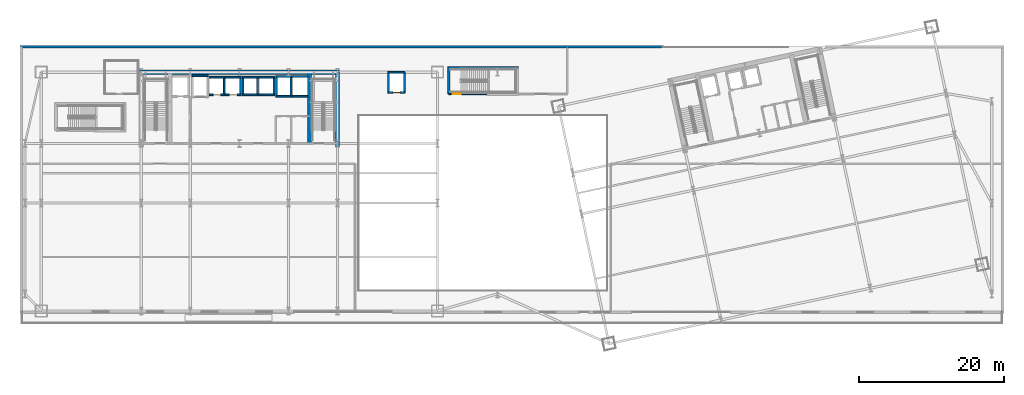
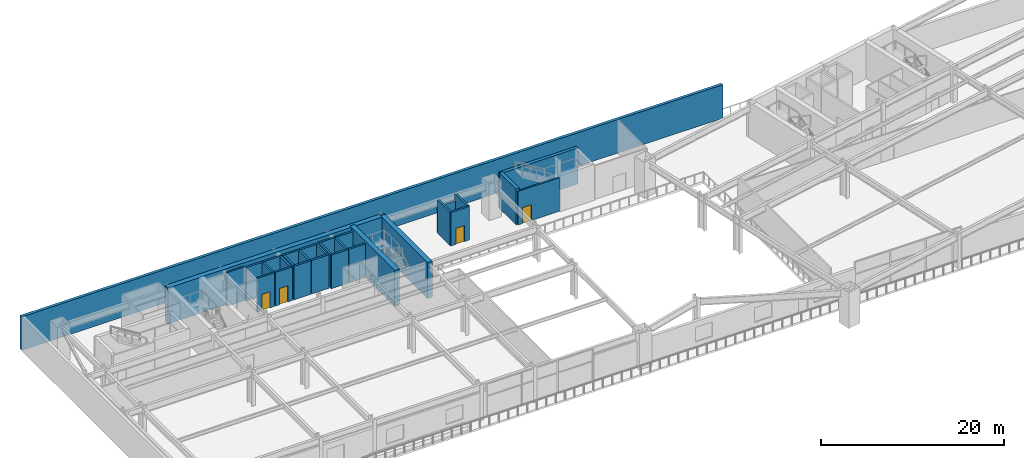
# One storey, part 13 of 28: 31 walls, 4 doors, 4 openings.
"""IFC4 building model written with IfcOpenShell, lengths in metres."""

from ifc_helpers import new_model, si_unit, direction, frame, frame_2d, origin, place, context, subcontext, project, spatial, rectangle, extrude, material, layer, layer_set, type_object, element, fill, save


model = new_model("IFC4")

# Units and contexts
model_context = context("Model", 3, precision=1e-05, world=origin(), true_north=direction((0.0, 1.0)))
body_context = subcontext(model_context, "Body", "Model", "MODEL_VIEW")
ifc_project = project(units=[si_unit("LENGTHUNIT", "METRE"), si_unit("AREAUNIT", "SQUARE_METRE"), si_unit("VOLUMEUNIT", "CUBIC_METRE"), si_unit("PLANEANGLEUNIT", "RADIAN"), si_unit("MASSUNIT", "GRAM", prefix="KILO")], contexts=[model_context])

# Site, building, storey
site_placement = place(None, origin())
site = spatial("IfcSite", under=ifc_project, at=site_placement, CompositionType="ELEMENT")
building_placement = place(site_placement, origin())
building = spatial("IfcBuilding", under=site, at=building_placement, Name="Haevon Station Towers", CompositionType="ELEMENT")
storey_placement = place(building_placement, frame((0.0, 0.0, 10.800048828125)))
storey = spatial("IfcBuildingStorey", under=building, at=storey_placement, Name="L02", CompositionType="ELEMENT", Elevation=10.800048828125)

# Wall, opening, door
ifc_material_1 = material(Name="Gypsum board on steel stud", Category="steel")
ifc_layer_1 = layer(ifc_material_1, 0.199951171875)
ifc_layer_set_1 = layer_set([ifc_layer_1], Name="Gypsum board on steel stud")
wall_type_1 = type_object("IfcWallType", Name="WL-COR200", PredefinedType="PARTITIONING", material=ifc_layer_set_1)
wall_1_placement = place(storey_placement, frame((66.300048828125, 45.0, 0.0), z_axis=(0.0, 0.0, 1.0), x_axis=(1.0, 0.0, 0.0)))
wall_1 = element("IfcWall", 1, at=wall_1_placement, inside=storey, type_object=wall_type_1, Name="WL-ST-ST6-L02-S", PredefinedType="PARTITIONING", context=body_context, shape_type="SweptSolid", body=[
    extrude(rectangle(XDim=5.199951171875, YDim=0.199951171875, at=frame_2d((2.60009765625, 0.0))), origin(), (0.0, 0.0, 1.0), 4.47998046875),
])
opening_1_placement = place(wall_1_placement, frame((0.550048828125, 0.0, 0.0)))
opening_1 = element("IfcOpeningElement", 2, at=opening_1_placement, cuts=wall_1, Name="Opening DR-ST-ST6-L02", PredefinedType="OPENING", context=body_context, shape_type="SweptSolid", body=[
    extrude(rectangle(XDim=1.1201171875, YDim=2.10009765625, at=frame_2d((0.56005859375, 1.050048828125))), frame((0.0, 0.10986328125, 0.0), z_axis=(0.0, -1.0, 0.0), x_axis=(1.0, 0.0, 0.0)), (0.0, 0.0, 1.0), 0.219970703125),
])
ifc_material_2 = material(Name="Engineered oak timber", Category="wood")
door_type_1 = type_object("IfcDoorType", Name="DR-ST-1120", OperationType="NOTDEFINED", PredefinedType="DOOR", material=ifc_material_2)
door_1_placement = place(opening_1_placement, origin())
door_1 = element("IfcDoor", 3, at=door_1_placement, inside=storey, type_object=door_type_1, Name="L02 Station Escape Stair ST6 Fire Door", OperationType="SINGLE_SWING_RIGHT", OverallHeight=2.10009765625, OverallWidth=1.1201171875, PredefinedType="DOOR", context=body_context, shape_type="SweptSolid", body=[
    extrude(rectangle(XDim=1.1201171875, YDim=2.10009765625, at=frame_2d((0.56005859375, 1.050048828125))), frame((0.0, 0.02490234375, 0.0), z_axis=(0.0, -1.0, 0.0), x_axis=(1.0, 0.0, 0.0)), (0.0, 0.0, 1.0), 0.050048828125),
])
fill(opening_1, door_1)

# Walls
ifc_material_3 = material(Name="Concrete C60/75", Category="concrete")
ifc_layer_2 = layer(ifc_material_3, 0.39990234375)
ifc_layer_set_2 = layer_set([ifc_layer_2], Name="Concrete C60/75")
wall_type_2 = type_object("IfcWallType", Name="WL-CR400", PredefinedType="SHEAR", material=ifc_layer_set_2)
wall_2_placement = place(storey_placement, frame((66.10009765625, 48.60009765625, 0.0), z_axis=(0.0, 0.0, 1.0), x_axis=(1.0, 0.0, 0.0)))
element("IfcWall", 4, at=wall_2_placement, inside=storey, type_object=wall_type_2, Name="WL-ST6CR-L02-N", PredefinedType="SHEAR", context=body_context, shape_type="SweptSolid", body=[
    extrude(rectangle(XDim=9.7998046875, YDim=0.39990234375, at=frame_2d((4.89990234375, 0.0))), origin(), (0.0, 0.0, 1.0), 4.800048828125),
])
wall_3_placement = place(storey_placement, frame((66.300048828125, 45.0, 0.0), z_axis=(0.0, 0.0, 1.0), x_axis=(0.0, 1.0, 0.0)))
element("IfcWall", 5, at=wall_3_placement, inside=storey, type_object=wall_type_2, Name="WL-ST6CR-L02-W", PredefinedType="SHEAR", context=body_context, shape_type="SweptSolid", body=[
    extrude(rectangle(XDim=3.60009765625, YDim=0.39990234375, at=frame_2d((1.800048828125, 0.0))), origin(), (0.0, 0.0, 1.0), 4.800048828125),
])
ifc_layer_3 = layer(ifc_material_3, 0.60009765625)
ifc_layer_set_3 = layer_set([ifc_layer_3], Name="Concrete C60/75")
wall_type_3 = type_object("IfcWallType", Name="WL-CR600", PredefinedType="SHEAR", material=ifc_layer_set_3)
wall_4_placement = place(storey_placement, frame((23.699951171875, 48.0, 0.0), z_axis=(0.0, 0.0, 1.0), x_axis=(1.0, 0.0, 0.0)))
element("IfcWall", 6, at=wall_4_placement, inside=storey, type_object=wall_type_3, Name="WL-T1CR-L02-N", PredefinedType="SHEAR", context=body_context, shape_type="SweptSolid", body=[
    extrude(rectangle(XDim=27.60009765625, YDim=0.60009765625, at=frame_2d((13.800048828125, 0.0))), origin(), (0.0, 0.0, 1.0), 4.800048828125),
])
wall_5_placement = place(storey_placement, frame((51.0, 37.679931640625, 0.0), z_axis=(0.0, 0.0, 1.0), x_axis=(0.0, 1.0, 0.0)))
element("IfcWall", 7, at=wall_5_placement, inside=storey, type_object=wall_type_3, Name="WL-T1CR-L02-E", PredefinedType="SHEAR", context=body_context, shape_type="SweptSolid", body=[
    extrude(rectangle(XDim=10.320068359375, YDim=0.60009765625, at=frame_2d((5.16015625, 0.0))), origin(), (0.0, 0.0, 1.0), 4.800048828125),
])
wall_6_placement = place(storey_placement, frame((47.14990234375, 38.199951171875, 0.0), z_axis=(0.0, 0.0, 1.0), x_axis=(0.0, 1.0, 0.0)))
element("IfcWall", 8, at=wall_6_placement, inside=storey, type_object=wall_type_3, Name="WL-T1CR-L02-M2", PredefinedType="SHEAR", context=body_context, shape_type="SweptSolid", body=[
    extrude(rectangle(XDim=9.800048828125, YDim=0.60009765625, at=frame_2d((4.89990234375, 0.0))), origin(), (0.0, 0.0, 1.0), 4.800048828125),
])
ifc_material_4 = material(Name="Precast concrete C45/55", Category="concrete")
ifc_layer_4 = layer(ifc_material_4, 0.360107421875)
ifc_layer_set_4 = layer_set([ifc_layer_4], Name="Precast concrete C45/55")
wall_type_4 = type_object("IfcWallType", Name="WL-EXT-POD360", PredefinedType="SOLIDWALL", material=ifc_layer_set_4)
wall_7_placement = place(storey_placement, frame((7.320068359375, 51.5, 0.0), z_axis=(0.0, 0.0, 1.0), x_axis=(1.0, 0.0, 0.0)))
element("IfcWall", 9, at=wall_7_placement, inside=storey, type_object=wall_type_4, Name="WL-POD-L02-N1", PredefinedType="SOLIDWALL", context=body_context, shape_type="SweptSolid", body=[
    extrude(rectangle(XDim=88.530029296875, YDim=0.360107421875, at=frame_2d((44.26513671875, 0.0))), origin(), (0.0, 0.0, 1.0), 4.47998046875),
])
ifc_material_5 = material(Name="Concrete C40/50", Category="concrete")
ifc_layer_5 = layer(ifc_material_5, 0.239990234375)
ifc_layer_set_5 = layer_set([ifc_layer_5], Name="Concrete C40/50")
wall_type_5 = type_object("IfcWallType", Name="WL-SHF240", PredefinedType="PARTITIONING", material=ifc_layer_set_5)
wall_8_placement = place(storey_placement, frame((30.969970703125, 47.5, 0.0), z_axis=(0.0, 0.0, 1.0), x_axis=(1.0, 0.0, 0.0)))
element("IfcWall", 10, at=wall_8_placement, inside=storey, type_object=wall_type_5, Name="WL-SHF-SL1-L02-N", PredefinedType="PARTITIONING", context=body_context, shape_type="SweptSolid", body=[
    extrude(rectangle(XDim=2.260009765625, YDim=0.239990234375, at=frame_2d((1.1298828125, 0.0))), origin(), (0.0, 0.0, 1.0), 4.47998046875),
])

# Wall, opening, door
wall_9_placement = place(storey_placement, frame((33.320068359375, 44.89990234375, 0.0), z_axis=(0.0, 0.0, 1.0), x_axis=(1.0, 0.0, 0.0)))
wall_9 = element("IfcWall", 11, at=wall_9_placement, inside=storey, type_object=wall_type_5, Name="WL-SHF-PL1-L02", PredefinedType="PARTITIONING", context=body_context, shape_type="SweptSolid", body=[
    extrude(rectangle(XDim=2.159912109375, YDim=0.239990234375, at=frame_2d((1.080078125, 0.0))), origin(), (0.0, 0.0, 1.0), 4.47998046875),
])
opening_2_placement = place(wall_9_placement, frame((0.554931640625, 0.0, 0.0)))
opening_2 = element("IfcOpeningElement", 12, at=opening_2_placement, cuts=wall_9, Name="Opening LD-PL1-L02", PredefinedType="OPENING", context=body_context, shape_type="SweptSolid", body=[
    extrude(rectangle(XDim=1.050048828125, YDim=2.14990234375, at=frame_2d((0.52490234375, 1.074951171875))), frame((0.0, 0.1298828125, 0.0), z_axis=(0.0, -1.0, 0.0), x_axis=(1.0, 0.0, 0.0)), (0.0, 0.0, 1.0), 0.260009765625),
])
ifc_material_6 = material(Name="Stainless steel and rated core", Category="steel")
door_type_2 = type_object("IfcDoorType", Name="LD-PL1050", OperationType="SLIDING_TO_LEFT", PredefinedType="DOOR", material=ifc_material_6)
door_2_placement = place(opening_2_placement, origin())
door_2 = element("IfcDoor", 13, at=door_2_placement, inside=storey, type_object=door_type_2, Name="L02 Lift PL1 Sliding Landing Door", OperationType="SLIDING_TO_LEFT", OverallHeight=2.14990234375, OverallWidth=1.050048828125, PredefinedType="DOOR", context=body_context, shape_type="SweptSolid", body=[
    extrude(rectangle(XDim=1.050048828125, YDim=2.14990234375, at=frame_2d((0.52490234375, 1.074951171875))), frame((0.0, 0.02490234375, 0.0), z_axis=(0.0, -1.0, 0.0), x_axis=(1.0, 0.0, 0.0)), (0.0, 0.0, 1.0), 0.050048828125),
])
fill(opening_2, door_2)

# Walls
wall_10_placement = place(storey_placement, frame((33.320068359375, 47.300048828125, 0.0), z_axis=(0.0, 0.0, 1.0), x_axis=(1.0, 0.0, 0.0)))
element("IfcWall", 14, at=wall_10_placement, inside=storey, type_object=wall_type_5, Name="WL-SHF-PL1-L02-N", PredefinedType="PARTITIONING", context=body_context, shape_type="SweptSolid", body=[
    extrude(rectangle(XDim=2.159912109375, YDim=0.239990234375, at=frame_2d((1.080078125, 0.0))), origin(), (0.0, 0.0, 1.0), 4.47998046875),
])
wall_11_placement = place(storey_placement, frame((35.39990234375, 44.89990234375, 0.0), z_axis=(0.0, 0.0, 1.0), x_axis=(0.0, 1.0, 0.0)))
element("IfcWall", 15, at=wall_11_placement, inside=storey, type_object=wall_type_5, Name="WL-SHF-PL1-L02-E", PredefinedType="PARTITIONING", context=body_context, shape_type="SweptSolid", body=[
    extrude(rectangle(XDim=2.400146484375, YDim=0.239990234375, at=frame_2d((1.2001953125, 0.0))), origin(), (0.0, 0.0, 1.0), 4.47998046875),
])

# Wall, opening, door
wall_12_placement = place(storey_placement, frame((35.570068359375, 44.89990234375, 0.0), z_axis=(0.0, 0.0, 1.0), x_axis=(1.0, 0.0, 0.0)))
wall_12 = element("IfcWall", 16, at=wall_12_placement, inside=storey, type_object=wall_type_5, Name="WL-SHF-PL2-L02", PredefinedType="PARTITIONING", context=body_context, shape_type="SweptSolid", body=[
    extrude(rectangle(XDim=2.159912109375, YDim=0.239990234375, at=frame_2d((1.080078125, 0.0))), origin(), (0.0, 0.0, 1.0), 4.47998046875),
])
opening_3_placement = place(wall_12_placement, frame((0.554931640625, 0.0, 0.0)))
opening_3 = element("IfcOpeningElement", 17, at=opening_3_placement, cuts=wall_12, Name="Opening LD-PL2-L02", PredefinedType="OPENING", context=body_context, shape_type="SweptSolid", body=[
    extrude(rectangle(XDim=1.050048828125, YDim=2.14990234375, at=frame_2d((0.52490234375, 1.074951171875))), frame((0.0, 0.1298828125, 0.0), z_axis=(0.0, -1.0, 0.0), x_axis=(1.0, 0.0, 0.0)), (0.0, 0.0, 1.0), 0.260009765625),
])
door_3_placement = place(opening_3_placement, origin())
door_3 = element("IfcDoor", 18, at=door_3_placement, inside=storey, type_object=door_type_2, Name="L02 Lift PL2 Sliding Landing Door", OperationType="SLIDING_TO_LEFT", OverallHeight=2.14990234375, OverallWidth=1.050048828125, PredefinedType="DOOR", context=body_context, shape_type="SweptSolid", body=[
    extrude(rectangle(XDim=1.050048828125, YDim=2.14990234375, at=frame_2d((0.52490234375, 1.074951171875))), frame((0.0, 0.02490234375, 0.0), z_axis=(0.0, -1.0, 0.0), x_axis=(1.0, 0.0, 0.0)), (0.0, 0.0, 1.0), 0.050048828125),
])
fill(opening_3, door_3)

# Walls
wall_13_placement = place(storey_placement, frame((35.570068359375, 47.300048828125, 0.0), z_axis=(0.0, 0.0, 1.0), x_axis=(1.0, 0.0, 0.0)))
element("IfcWall", 19, at=wall_13_placement, inside=storey, type_object=wall_type_5, Name="WL-SHF-PL2-L02-N", PredefinedType="PARTITIONING", context=body_context, shape_type="SweptSolid", body=[
    extrude(rectangle(XDim=2.159912109375, YDim=0.239990234375, at=frame_2d((1.080078125, 0.0))), origin(), (0.0, 0.0, 1.0), 4.47998046875),
])
wall_14_placement = place(storey_placement, frame((37.64990234375, 44.89990234375, 0.0), z_axis=(0.0, 0.0, 1.0), x_axis=(0.0, 1.0, 0.0)))
element("IfcWall", 20, at=wall_14_placement, inside=storey, type_object=wall_type_5, Name="WL-SHF-PL2-L02-E", PredefinedType="PARTITIONING", context=body_context, shape_type="SweptSolid", body=[
    extrude(rectangle(XDim=2.400146484375, YDim=0.239990234375, at=frame_2d((1.2001953125, 0.0))), origin(), (0.0, 0.0, 1.0), 4.47998046875),
])
for number, where, z_axis, x_axis, name in (
    (21, (37.919921875, 44.89990234375, 0.0), (0.0, 0.0, 1.0), (1.0, 0.0, 0.0), "WL-SHF-PL3-L02"),
    (22, (37.919921875, 47.300048828125, 0.0), (0.0, 0.0, 1.0), (1.0, 0.0, 0.0), "WL-SHF-PL3-L02-N"),
):
    element("IfcWall", number, at=place(storey_placement, frame(where, z_axis=z_axis, x_axis=x_axis)), inside=storey, type_object=wall_type_5, Name=name, PredefinedType="PARTITIONING", context=body_context, shape_type="SweptSolid", body=[
        extrude(rectangle(XDim=2.16015625, YDim=0.239990234375, at=frame_2d((1.080078125, 0.0))), origin(), (0.0, 0.0, 1.0), 4.47998046875),
    ])
for number, where, z_axis, x_axis, name in (
    (23, (38.0, 44.89990234375, 0.0), (0.0, 0.0, 1.0), (0.0, 1.0, 0.0), "WL-SHF-PL3-L02-W"),
    (24, (40.0, 44.89990234375, 0.0), (0.0, 0.0, 1.0), (0.0, 1.0, 0.0), "WL-SHF-PL3-L02-E"),
):
    element("IfcWall", number, at=place(storey_placement, frame(where, z_axis=z_axis, x_axis=x_axis)), inside=storey, type_object=wall_type_5, Name=name, PredefinedType="PARTITIONING", context=body_context, shape_type="SweptSolid", body=[
        extrude(rectangle(XDim=2.400146484375, YDim=0.239990234375, at=frame_2d((1.2001953125, 0.0))), origin(), (0.0, 0.0, 1.0), 4.47998046875),
    ])
for number, where, z_axis, x_axis, name in (
    (25, (40.169921875, 44.89990234375, 0.0), (0.0, 0.0, 1.0), (1.0, 0.0, 0.0), "WL-SHF-PL4-L02"),
    (26, (40.169921875, 47.300048828125, 0.0), (0.0, 0.0, 1.0), (1.0, 0.0, 0.0), "WL-SHF-PL4-L02-N"),
):
    element("IfcWall", number, at=place(storey_placement, frame(where, z_axis=z_axis, x_axis=x_axis)), inside=storey, type_object=wall_type_5, Name=name, PredefinedType="PARTITIONING", context=body_context, shape_type="SweptSolid", body=[
        extrude(rectangle(XDim=2.16015625, YDim=0.239990234375, at=frame_2d((1.080078125, 0.0))), origin(), (0.0, 0.0, 1.0), 4.47998046875),
    ])
wall_15_placement = place(storey_placement, frame((42.25, 44.89990234375, 0.0), z_axis=(0.0, 0.0, 1.0), x_axis=(0.0, 1.0, 0.0)))
element("IfcWall", 27, at=wall_15_placement, inside=storey, type_object=wall_type_5, Name="WL-SHF-PL4-L02-E", PredefinedType="PARTITIONING", context=body_context, shape_type="SweptSolid", body=[
    extrude(rectangle(XDim=2.400146484375, YDim=0.239990234375, at=frame_2d((1.2001953125, 0.0))), origin(), (0.0, 0.0, 1.0), 4.47998046875),
])
for number, where, z_axis, x_axis, name in (
    (28, (42.52001953125, 44.699951171875, 0.0), (0.0, 0.0, 1.0), (1.0, 0.0, 0.0), "WL-SHF-PL5-L02"),
    (29, (42.52001953125, 47.39990234375, 0.0), (0.0, 0.0, 1.0), (1.0, 0.0, 0.0), "WL-SHF-PL5-L02-N"),
):
    element("IfcWall", number, at=place(storey_placement, frame(where, z_axis=z_axis, x_axis=x_axis)), inside=storey, type_object=wall_type_5, Name=name, PredefinedType="PARTITIONING", context=body_context, shape_type="SweptSolid", body=[
        extrude(rectangle(XDim=2.159912109375, YDim=0.239990234375, at=frame_2d((1.080078125, 0.0))), origin(), (0.0, 0.0, 1.0), 4.47998046875),
    ])
for number, where, z_axis, x_axis, name in (
    (30, (42.60009765625, 44.699951171875, 0.0), (0.0, 0.0, 1.0), (0.0, 1.0, 0.0), "WL-SHF-PL5-L02-W"),
    (31, (44.60009765625, 44.699951171875, 0.0), (0.0, 0.0, 1.0), (0.0, 1.0, 0.0), "WL-SHF-PL5-L02-E"),
):
    element("IfcWall", number, at=place(storey_placement, frame(where, z_axis=z_axis, x_axis=x_axis)), inside=storey, type_object=wall_type_5, Name=name, PredefinedType="PARTITIONING", context=body_context, shape_type="SweptSolid", body=[
        extrude(rectangle(XDim=2.699951171875, YDim=0.239990234375, at=frame_2d((1.35009765625, 0.0))), origin(), (0.0, 0.0, 1.0), 4.47998046875),
    ])
for number, where, z_axis, x_axis, name in (
    (32, (44.77001953125, 44.699951171875, 0.0), (0.0, 0.0, 1.0), (1.0, 0.0, 0.0), "WL-SHF-PL6-L02"),
    (33, (44.77001953125, 47.39990234375, 0.0), (0.0, 0.0, 1.0), (1.0, 0.0, 0.0), "WL-SHF-PL6-L02-N"),
):
    element("IfcWall", number, at=place(storey_placement, frame(where, z_axis=z_axis, x_axis=x_axis)), inside=storey, type_object=wall_type_5, Name=name, PredefinedType="PARTITIONING", context=body_context, shape_type="SweptSolid", body=[
        extrude(rectangle(XDim=2.159912109375, YDim=0.239990234375, at=frame_2d((1.080078125, 0.0))), origin(), (0.0, 0.0, 1.0), 4.47998046875),
    ])

# Wall, opening, door
wall_16_placement = place(storey_placement, frame((57.919921875, 45.199951171875, 0.0), z_axis=(0.0, 0.0, 1.0), x_axis=(1.0, 0.0, 0.0)))
wall_16 = element("IfcWall", 34, at=wall_16_placement, inside=storey, type_object=wall_type_5, Name="WL-SHF-PL11-L02", PredefinedType="PARTITIONING", context=body_context, shape_type="SweptSolid", body=[
    extrude(rectangle(XDim=2.360107421875, YDim=0.239990234375, at=frame_2d((1.18017578125, 0.0))), origin(), (0.0, 0.0, 1.0), 4.47998046875),
])
opening_4_placement = place(wall_16_placement, frame((0.655029296875, 0.0, 0.0)))
opening_4 = element("IfcOpeningElement", 35, at=opening_4_placement, cuts=wall_16, Name="Opening LD-PL11-L02", PredefinedType="OPENING", context=body_context, shape_type="SweptSolid", body=[
    extrude(rectangle(XDim=1.050048828125, YDim=2.14990234375, at=frame_2d((0.52490234375, 1.074951171875))), frame((0.0, 0.1298828125, 0.0), z_axis=(0.0, -1.0, 0.0), x_axis=(1.0, 0.0, 0.0)), (0.0, 0.0, 1.0), 0.260009765625),
])
door_4_placement = place(opening_4_placement, origin())
door_4 = element("IfcDoor", 36, at=door_4_placement, inside=storey, type_object=door_type_2, Name="L02 Lift PL11 Sliding Landing Door", OperationType="SLIDING_TO_LEFT", OverallHeight=2.14990234375, OverallWidth=1.050048828125, PredefinedType="DOOR", context=body_context, shape_type="SweptSolid", body=[
    extrude(rectangle(XDim=1.050048828125, YDim=2.14990234375, at=frame_2d((0.52490234375, 1.074951171875))), frame((0.0, 0.02490234375, 0.0), z_axis=(0.0, -1.0, 0.0), x_axis=(1.0, 0.0, 0.0)), (0.0, 0.0, 1.0), 0.050048828125),
])
fill(opening_4, door_4)

# Walls
wall_17_placement = place(storey_placement, frame((57.919921875, 48.0, 0.0), z_axis=(0.0, 0.0, 1.0), x_axis=(1.0, 0.0, 0.0)))
element("IfcWall", 37, at=wall_17_placement, inside=storey, type_object=wall_type_5, Name="WL-SHF-PL11-L02-N", PredefinedType="PARTITIONING", context=body_context, shape_type="SweptSolid", body=[
    extrude(rectangle(XDim=2.360107421875, YDim=0.239990234375, at=frame_2d((1.18017578125, 0.0))), origin(), (0.0, 0.0, 1.0), 3.579833984375),
])
for number, where, z_axis, x_axis, name in (
    (38, (58.0, 45.199951171875, 0.0), (0.0, 0.0, 1.0), (0.0, 1.0, 0.0), "WL-SHF-PL11-L02-W"),
    (39, (60.199951171875, 45.199951171875, 0.0), (0.0, 0.0, 1.0), (0.0, 1.0, 0.0), "WL-SHF-PL11-L02-E"),
):
    element("IfcWall", number, at=place(storey_placement, frame(where, z_axis=z_axis, x_axis=x_axis)), inside=storey, type_object=wall_type_5, Name=name, PredefinedType="PARTITIONING", context=body_context, shape_type="SweptSolid", body=[
        extrude(rectangle(XDim=2.800048828125, YDim=0.239990234375, at=frame_2d((1.39990234375, 0.0))), origin(), (0.0, 0.0, 1.0), 4.47998046875),
    ])

save(model, "model.ifc")
